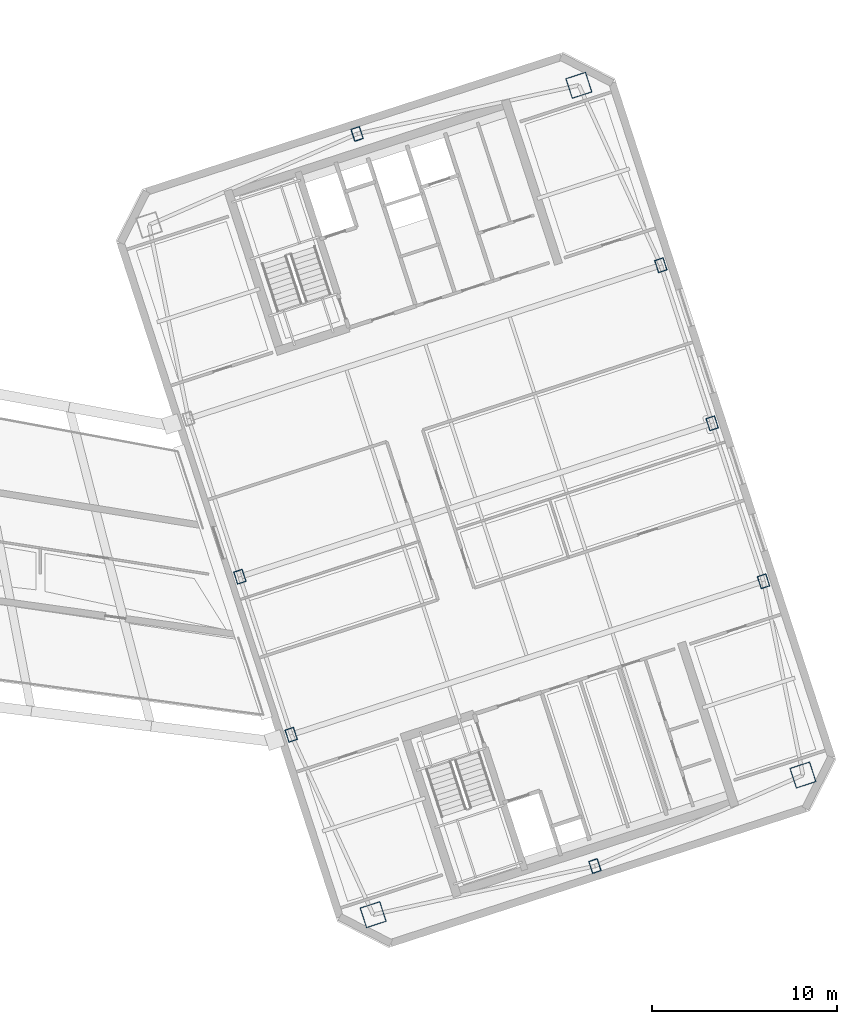
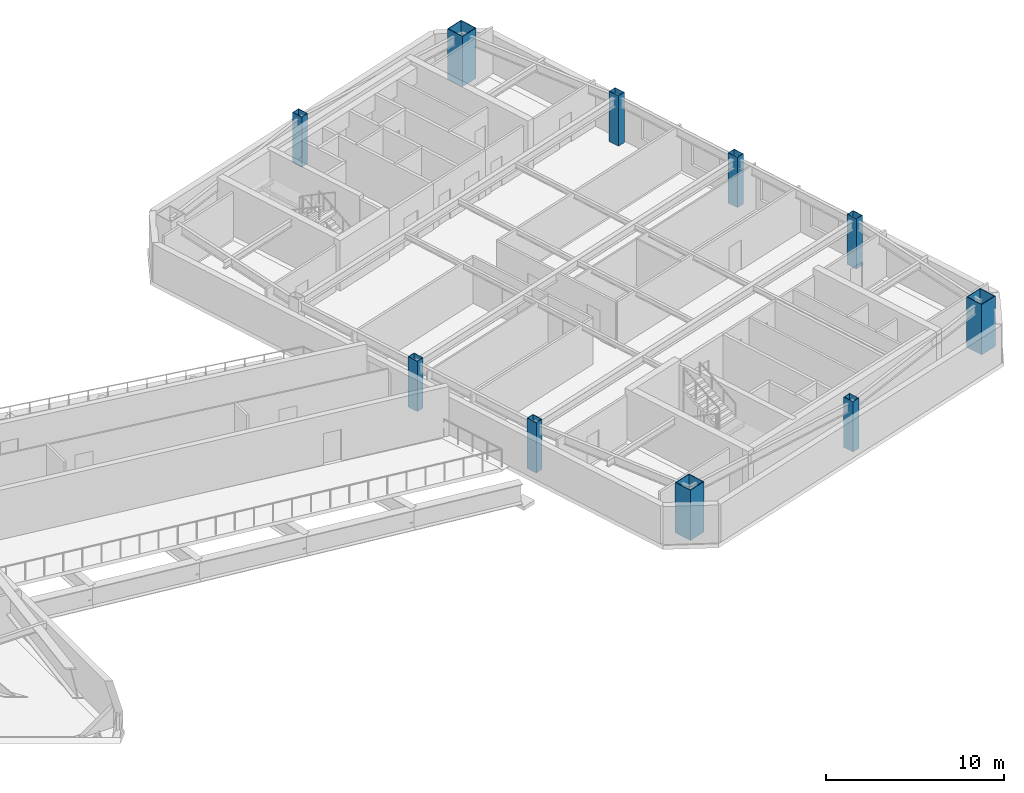
# One storey, part 2 of 18: 10 columns.
"""IFC4 building model written with IfcOpenShell, lengths in metres."""

import ifcopenshell
import ifcopenshell.guid

model = None  # the IFC model being written
_history = None  # IfcOwnerHistory: only IFC2X3 demands one
_inside = {}  # id of a spatial element -> (the spatial element, [elements in it])
_under = {}  # id of a project, library or spatial element -> (it, [spatial elements below it])
_declared = {}  # id of a project -> (the project, [libraries it declares])
_typed = {}  # id of a type object -> (the type object, [elements of that type])
_made_of = {}  # id of a material, layer set ... -> (it, [elements and type objects made of it])


def new_model(schema):
    """Start an empty IFC model of exactly this schema.

    Asked for "IFC4X3", IfcOpenShell would pick the latest addendum, in which some entities
    have other attributes; the version numbers below select the first issue.
    IFC2X3 requires an IfcOwnerHistory on every rooted entity: one is made here for all.
    """
    global model, _history
    if schema == "IFC4X3":
        model = ifcopenshell.file(schema_version=(4, 3, 0, 0))
    else:
        model = ifcopenshell.file(schema=schema)
    _inside.clear()
    _under.clear()
    _declared.clear()
    _typed.clear()
    _made_of.clear()
    _history = None
    if model.schema == "IFC2X3":
        org = make("IfcOrganization", Name="unknown")
        user = make(
            "IfcPersonAndOrganization",
            ThePerson=make("IfcPerson", FamilyName="unknown"),
            TheOrganization=org,
        )
        app = make(
            "IfcApplication",
            ApplicationDeveloper=org,
            Version="unknown",
            ApplicationFullName="unknown",
            ApplicationIdentifier="unknown",
        )
        _history = make(
            "IfcOwnerHistory",
            OwningUser=user,
            OwningApplication=app,
            ChangeAction="ADDED",
            CreationDate=0,
        )
    return model


def make(cls, **values):
    """One entity of the class cls with the attributes given. An attribute that is None is left unset."""
    return model.create_entity(
        cls, **{name: value for name, value in values.items() if value is not None}
    )


def rooted(cls, **values):
    """An entity with a GlobalId (a new one), such as an element, a storey or a relation."""
    return make(cls, GlobalId=ifcopenshell.guid.new(), OwnerHistory=_history, **values)


def si_unit(unit_type, name, prefix=None):
    """IfcSIUnit, for example si_unit("LENGTHUNIT", "METRE", prefix="MILLI")."""
    return make("IfcSIUnit", UnitType=unit_type, Prefix=prefix, Name=name)


def assignment(units):
    """IfcUnitAssignment: the units of a project."""
    return None if units is None else make("IfcUnitAssignment", Units=units)


def point(xyz):
    """IfcCartesianPoint."""
    return None if xyz is None else make("IfcCartesianPoint", Coordinates=xyz)


def direction(xyz):
    """IfcDirection."""
    return None if xyz is None else make("IfcDirection", DirectionRatios=xyz)


def frame(location, z_axis=None, x_axis=None):
    """IfcAxis2Placement3D, a coordinate frame: its origin and axes. An axis left out is left unset."""
    return make(
        "IfcAxis2Placement3D",
        Location=point(location),
        Axis=direction(z_axis),
        RefDirection=direction(x_axis),
    )


def frame_2d(location, x_axis=None):
    """IfcAxis2Placement2D, a coordinate frame in the plane: its origin and x axis."""
    return make(
        "IfcAxis2Placement2D", Location=point(location), RefDirection=direction(x_axis)
    )


def origin():
    """The frame at (0, 0, 0) with its axes left unset."""
    return frame((0.0, 0.0, 0.0))


def origin_2d():
    """The frame at (0, 0) in the plane with its x axis left unset."""
    return frame_2d((0.0, 0.0))


def place(relative_to, where):
    """IfcLocalPlacement: puts the frame where relative to a parent placement (None: the world)."""
    return make(
        "IfcLocalPlacement", PlacementRelTo=relative_to, RelativePlacement=where
    )


def context(
    kind, dimensions, precision=None, world=None, true_north=None, identifier=None
):
    """IfcGeometricRepresentationContext, for example the 3D "Model" context."""
    return make(
        "IfcGeometricRepresentationContext",
        ContextIdentifier=identifier,
        ContextType=kind,
        CoordinateSpaceDimension=dimensions,
        Precision=precision,
        WorldCoordinateSystem=world,
        TrueNorth=true_north,
    )


def subcontext(parent, identifier, kind, view, scale=None):
    """IfcGeometricRepresentationSubContext, for example "Body" below "Model"."""
    return make(
        "IfcGeometricRepresentationSubContext",
        ContextIdentifier=identifier,
        ContextType=kind,
        ParentContext=parent,
        TargetScale=scale,
        TargetView=view,
    )


def project(units=None, contexts=None):
    """IfcProject with its units and contexts."""
    return rooted(
        "IfcProject",
        Name="project",
        RepresentationContexts=contexts,
        UnitsInContext=assignment(units),
    )


def spatial(cls, under=None, at=None, **own):
    """A site, building, storey or space (cls), placed at a placement, below another one or the project."""
    s = rooted(cls, ObjectPlacement=at, **own)
    if under is not None:
        _under.setdefault(under.id(), (under, []))[1].append(s)
    return s


def profile(cls, at=None, kind="AREA", **sizes):
    """A parametric profile (cls). Its sizes go by their IFC names, for example OverallWidth=200.0."""
    return make(cls, ProfileType=kind, Position=at, **sizes)


def hollow_rectangle(**sizes):
    """IfcRectangleHollowProfileDef."""
    return profile("IfcRectangleHollowProfileDef", **sizes)


def extrude(swept, where, along, depth):
    """IfcExtrudedAreaSolid: the profile swept, set in the frame where, extruded along a direction by depth."""
    return make(
        "IfcExtrudedAreaSolid",
        SweptArea=swept,
        Position=where,
        ExtrudedDirection=direction(along),
        Depth=depth,
    )


def shape(context_of_items, identifier, shape_type, items):
    """IfcShapeRepresentation: the items that make up one representation, for example the "Body"."""
    return make(
        "IfcShapeRepresentation",
        ContextOfItems=context_of_items,
        RepresentationIdentifier=identifier,
        RepresentationType=shape_type,
        Items=items,
    )


def material(Name=None, Category=None):
    """IfcMaterial."""
    return make("IfcMaterial", Name=Name, Category=Category)


def material_profile(
    of_material, cross_section, Name=None, Category=None, Priority=None
):
    """IfcMaterialProfile: a cross section and its material."""
    return make(
        "IfcMaterialProfile",
        Name=Name,
        Material=of_material,
        Profile=cross_section,
        Priority=Priority,
        Category=Category,
    )


def profile_set(profiles, Name=None, composite=None):
    """IfcMaterialProfileSet."""
    return make(
        "IfcMaterialProfileSet",
        Name=Name,
        MaterialProfiles=profiles,
        CompositeProfile=composite,
    )


def made_of(thing, what):
    """Note that an element or type object is made of a material, layer set ...; save() writes the relation."""
    if what is not None:
        _made_of.setdefault(what.id(), (what, []))[1].append(thing)
    return thing


def type_object(cls, material=None, **own):
    """A type object (cls), such as IfcWallType, which elements share."""
    return made_of(rooted(cls, **own), material)


def element(
    cls,
    number,
    at=None,
    inside=None,
    cuts=None,
    type_object=None,
    material=None,
    context=None,
    identifier="Body",
    shape_type=None,
    held_by="IfcProductDefinitionShape",
    body=None,
    shapes=None,
    **own,
):
    """One element of the class cls, such as IfcWall. Its Tag is "e" and its number.

    at: its placement. inside: the storey or other place that contains it. cuts: it is an
    opening in that element (IfcRelVoidsElement). A single representation is given by context,
    identifier, shape_type and body (its items); several are given by shapes. held_by: the class
    of the entity that holds the representations. save() writes the other relations.
    """
    e = rooted(cls, Tag="e%d" % number, ObjectPlacement=at, **own)
    if body is not None:
        shapes = [shape(context, identifier, shape_type, body)]
    if shapes is not None:
        e.Representation = make(held_by, Representations=shapes)
    if inside is not None:
        _inside.setdefault(inside.id(), (inside, []))[1].append(e)
    if cuts is not None:
        rooted(
            "IfcRelVoidsElement", RelatingBuildingElement=cuts, RelatedOpeningElement=e
        )
    if type_object is not None:
        _typed.setdefault(type_object.id(), (type_object, []))[1].append(e)
    return made_of(e, material)


def aggregate(whole, parts):
    """IfcRelAggregates: a whole, such as a stair, and the parts it consists of."""
    return rooted("IfcRelAggregates", RelatingObject=whole, RelatedObjects=parts)


def save(model, path):
    """Write the relations noted so far, then the file.

    IfcRelAggregates (storeys below a building ...), IfcRelContainedInSpatialStructure (elements
    in a storey), IfcRelDefinesByType, IfcRelAssociatesMaterial and IfcRelDeclares: one each for
    every whole, place, type object, material and project.
    """
    for whole, parts in _under.values():
        aggregate(whole, parts)
    for where, things in _inside.values():
        rooted(
            "IfcRelContainedInSpatialStructure",
            RelatedElements=things,
            RelatingStructure=where,
        )
    for kind, things in _typed.values():
        rooted("IfcRelDefinesByType", RelatedObjects=things, RelatingType=kind)
    for what, things in _made_of.values():
        rooted("IfcRelAssociatesMaterial", RelatedObjects=things, RelatingMaterial=what)
    for by, libraries in _declared.values():
        rooted("IfcRelDeclares", RelatingContext=by, RelatedDefinitions=libraries)
    model.write(path)


model = new_model("IFC4")

# Units and contexts
model_context = context("Model", 3, precision=1e-05, world=origin(), true_north=direction((0.0, 1.0)))
body_context = subcontext(model_context, "Body", "Model", "MODEL_VIEW")
ifc_project = project(units=[si_unit("LENGTHUNIT", "METRE"), si_unit("AREAUNIT", "SQUARE_METRE"), si_unit("VOLUMEUNIT", "CUBIC_METRE"), si_unit("PLANEANGLEUNIT", "RADIAN"), si_unit("MASSUNIT", "GRAM", prefix="KILO")], contexts=[model_context])

# Site, building, storey
site_placement = place(None, origin())
site = spatial("IfcSite", under=ifc_project, at=site_placement, CompositionType="ELEMENT")
building_placement = place(site_placement, origin())
building = spatial("IfcBuilding", under=site, at=building_placement, Name="Qiaolan Cultural Towers", CompositionType="ELEMENT")
storey_placement = place(building_placement, frame((0.0, 0.0, 219.64990234375)))
storey = spatial("IfcBuildingStorey", under=building, at=storey_placement, Name="L59", CompositionType="ELEMENT", Elevation=219.64990234375)

# Columns
ifc_material_1 = material(Name="Steel Q390GJB", Category="steel")
ifc_material_profile_1 = material_profile(ifc_material_1, hollow_rectangle(XDim=1.14990234375, YDim=1.14990234375, WallThickness=0.0400390625, at=origin_2d()), Name="BOX1150x1150x40")
ifc_profile_set_1 = profile_set([ifc_material_profile_1], Name="Steel Q390GJB")
column_type_1 = type_object("IfcColumnType", Name="COL-BOX1150x1150x40", PredefinedType="COLUMN", material=ifc_profile_set_1)
for number, where, z_axis, x_axis, name in (
    (1, (84.42822265625, 11.538818359375, 0.0), (0.0, 0.0, 1.0), (0.951056516295, 0.309016994375, 0.0), "L59 T2 Perimeter Column MC-SW"),
    (2, (107.7099609375, 19.103515625, 0.0), (0.0, 0.0, 1.0), (0.951056516295, 0.309016994375, 0.0), "L59 T2 Perimeter Column MC-SE"),
    (3, (95.57177734375, 56.461181640625, 0.0), (0.0, 0.0, 1.0), (0.951056516295, 0.309016994375, 0.0), "L59 T2 Perimeter Column MC-NE"),
):
    element("IfcColumn", number, at=place(storey_placement, frame(where, z_axis=z_axis, x_axis=x_axis)), inside=storey, type_object=column_type_1, Name=name, PredefinedType="COLUMN", context=body_context, shape_type="SweptSolid", body=[
        extrude(hollow_rectangle(XDim=1.14990234375, YDim=1.14990234375, WallThickness=0.0400390625, at=origin_2d()), origin(), (0.0, 0.0, 1.0), 3.451171875),
    ])
ifc_material_2 = material(Name="Steel Q355B", Category="steel")
ifc_material_profile_2 = material_profile(ifc_material_2, hollow_rectangle(XDim=0.5, YDim=0.699951171875, WallThickness=0.02490234375, at=origin_2d()), Name="BOX700x500x25")
ifc_profile_set_2 = profile_set([ifc_material_profile_2], Name="Steel Q355B")
column_type_2 = type_object("IfcColumnType", Name="COL-BOX700x500x25", PredefinedType="COLUMN", material=ifc_profile_set_2)
for number, where, z_axis, x_axis, name in (
    (4, (79.989501953125, 21.2841796875, 0.0), (0.0, 0.0, 1.0), (0.951056516295, 0.309016994375, 0.0), "L59 T2 Perimeter Column PC-W1"),
    (5, (77.208251953125, 29.84375, 0.0), (0.0, 0.0, 1.0), (0.951056516295, 0.309016994375, 0.0), "L59 T2 Perimeter Column PC-W2"),
    (6, (105.57275390625, 29.5966796875, 0.0), (0.0, 0.0, 1.0), (0.951056516295, 0.309016994375, 0.0), "L59 T2 Perimeter Column PC-E1"),
    (7, (102.791748046875, 38.15625, 0.0), (0.0, 0.0, 1.0), (0.951056516295, 0.309016994375, 0.0), "L59 T2 Perimeter Column PC-E2"),
    (8, (100.010498046875, 46.7158203125, 0.0), (0.0, 0.0, 1.0), (0.951056516295, 0.309016994375, 0.0), "L59 T2 Perimeter Column PC-E3"),
    (9, (96.443115234375, 14.17041015625, 0.0), (0.0, 0.0, 1.0), (0.951056516295, 0.309016994375, 0.0), "L59 T2 Perimeter Column PC-S0"),
    (10, (83.556884765625, 53.82958984375, 0.0), (0.0, 0.0, 1.0), (0.951056516295, 0.309016994375, 0.0), "L59 T2 Perimeter Column PC-N0"),
):
    element("IfcColumn", number, at=place(storey_placement, frame(where, z_axis=z_axis, x_axis=x_axis)), inside=storey, type_object=column_type_2, Name=name, PredefinedType="COLUMN", context=body_context, shape_type="SweptSolid", body=[
        extrude(hollow_rectangle(XDim=0.5, YDim=0.699951171875, WallThickness=0.02490234375, at=origin_2d()), origin(), (0.0, 0.0, 1.0), 3.451171875),
    ])

save(model, "model.ifc")
